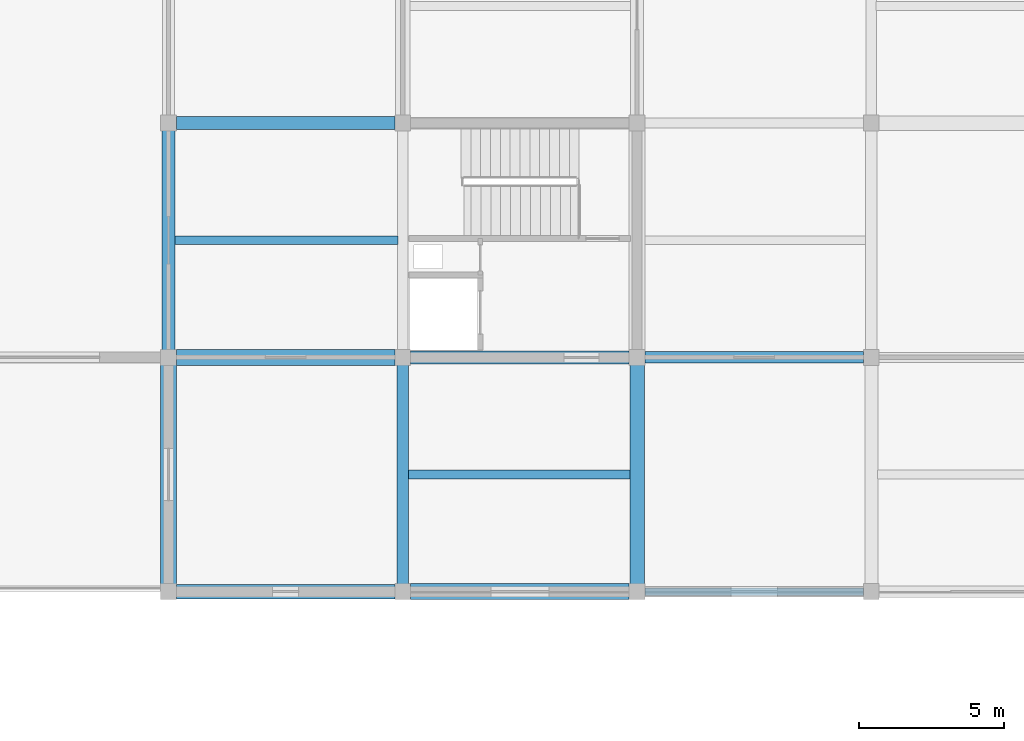
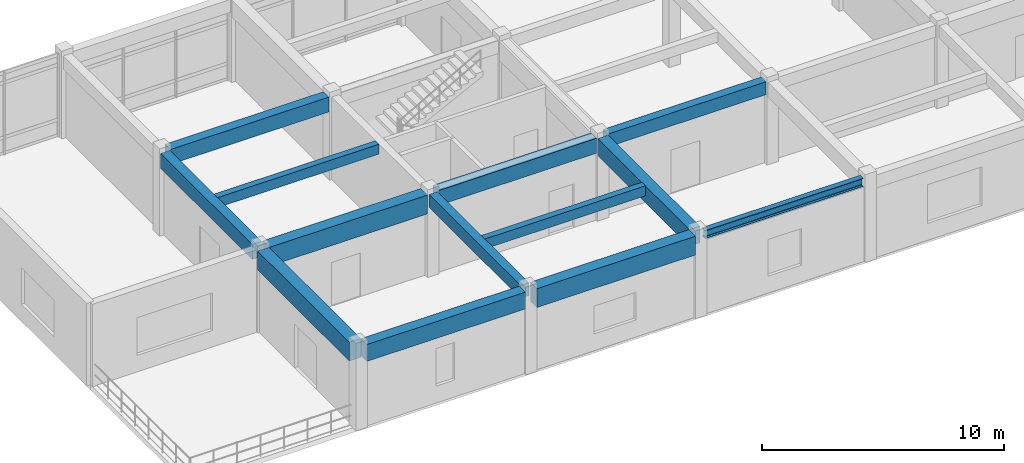
# One storey, part 8 of 42: 13 beams.
"""IFC4 building model written with IfcOpenShell, lengths in metres."""

from ifc_helpers import new_model, si_unit, direction, frame, origin, origin_2d, place, context, subcontext, project, spatial, rectangle, i_section, extrude, material, material_profile, profile_set, type_object, element, save


model = new_model("IFC4")

# Units and contexts
model_context = context("Model", 3, precision=1e-05, world=origin(), true_north=direction((0.0, 1.0)))
body_context = subcontext(model_context, "Body", "Model", "MODEL_VIEW")
ifc_project = project(units=[si_unit("LENGTHUNIT", "METRE"), si_unit("AREAUNIT", "SQUARE_METRE"), si_unit("VOLUMEUNIT", "CUBIC_METRE"), si_unit("PLANEANGLEUNIT", "RADIAN"), si_unit("MASSUNIT", "GRAM", prefix="KILO")], contexts=[model_context])

# Site, building, storey
site_placement = place(None, origin())
site = spatial("IfcSite", under=ifc_project, at=site_placement, CompositionType="ELEMENT")
building_placement = place(site_placement, origin())
building = spatial("IfcBuilding", under=site, at=building_placement, Name="Vaudrelin Polytechnic", CompositionType="ELEMENT")
storey_placement = place(building_placement, frame((0.0, 0.0, 18.530029296875)))
storey = spatial("IfcBuildingStorey", under=building, at=storey_placement, Name="L04", CompositionType="ELEMENT", Elevation=18.530029296875)

# Beams
ifc_material_1 = material(Name="Concrete 40 MPa", Category="concrete")
ifc_material_profile_1 = material_profile(ifc_material_1, rectangle(XDim=0.39990234375, YDim=0.64990234375, at=origin_2d()), Name="RC400x650")
ifc_profile_set_1 = profile_set([ifc_material_profile_1], Name="Concrete 40 MPa")
beam_type_1 = type_object("IfcBeamType", Name="BM-BM-RC4065", PredefinedType="BEAM", material=ifc_profile_set_1)
beam_1_placement = place(storey_placement, frame((16.199951171875, 97.4599609375, 3.8349609375), z_axis=(0.0, 1.0, 0.0), x_axis=(-1.0, 0.0, 0.0)))
element("IfcBeam", 1, at=beam_1_placement, inside=storey, type_object=beam_type_1, Name="L04 Y-beam 3-13", PredefinedType="BEAM", context=body_context, shape_type="SweptSolid", body=[
    extrude(rectangle(XDim=0.39990234375, YDim=0.64990234375, at=origin_2d()), origin(), (0.0, 0.0, 1.0), 7.580078125),
])
beam_2_placement = place(storey_placement, frame((24.571044921875, 105.300048828125, 3.8349609375), z_axis=(1.0, 0.0, 0.0), x_axis=(0.0, 1.0, 0.0)))
element("IfcBeam", 2, at=beam_2_placement, inside=storey, type_object=beam_type_1, Name="L04 X-beam 4-14", PredefinedType="BEAM", context=body_context, shape_type="SweptSolid", body=[
    extrude(rectangle(XDim=0.39990234375, YDim=0.64990234375, at=origin_2d()), origin(), (0.0, 0.0, 1.0), 7.557861328125),
])
ifc_material_profile_2 = material_profile(ifc_material_1, rectangle(XDim=0.449951171875, YDim=0.75, at=origin_2d()), Name="RC450x750")
ifc_profile_set_2 = profile_set([ifc_material_profile_2], Name="Concrete 40 MPa")
beam_type_2 = type_object("IfcBeamType", Name="BM-BM-RC4575", PredefinedType="BEAM", material=ifc_profile_set_2)
beam_3_placement = place(storey_placement, frame((8.10009765625, 105.56005859375, 3.784912109375), z_axis=(0.0, 1.0, 0.0), x_axis=(-1.0, 0.0, 0.0)))
element("IfcBeam", 3, at=beam_3_placement, inside=storey, type_object=beam_type_2, Name="L04 Y-beam 2-14", PredefinedType="BEAM", context=body_context, shape_type="SweptSolid", body=[
    extrude(rectangle(XDim=0.449951171875, YDim=0.75, at=origin_2d()), origin(), (0.0, 0.0, 1.0), 7.579833984375),
])
beam_4_placement = place(storey_placement, frame((8.37109375, 113.39990234375, 3.784912109375), z_axis=(1.0, 0.0, 0.0), x_axis=(0.0, 1.0, 0.0)))
element("IfcBeam", 4, at=beam_4_placement, inside=storey, type_object=beam_type_2, Name="L04 X-beam 2-15", PredefinedType="BEAM", context=body_context, shape_type="SweptSolid", body=[
    extrude(rectangle(XDim=0.449951171875, YDim=0.75, at=origin_2d()), origin(), (0.0, 0.0, 1.0), 7.557861328125),
])
beam_5_placement = place(storey_placement, frame((16.470947265625, 105.300048828125, 3.784912109375), z_axis=(1.0, 0.0, 0.0), x_axis=(0.0, 1.0, 0.0)))
element("IfcBeam", 5, at=beam_5_placement, inside=storey, type_object=beam_type_2, Name="L04 X-beam 3-14", PredefinedType="BEAM", context=body_context, shape_type="SweptSolid", body=[
    extrude(rectangle(XDim=0.449951171875, YDim=0.75, at=origin_2d()), origin(), (0.0, 0.0, 1.0), 7.55810546875),
])
ifc_material_profile_3 = material_profile(ifc_material_1, rectangle(XDim=0.5, YDim=0.85009765625, at=origin_2d()), Name="RC500x850")
ifc_profile_set_3 = profile_set([ifc_material_profile_3], Name="Concrete 40 MPa")
beam_type_3 = type_object("IfcBeamType", Name="BM-BM-RC5085", PredefinedType="BEAM", material=ifc_profile_set_3)
beam_6_placement = place(storey_placement, frame((24.300048828125, 97.4599609375, 3.73486328125), z_axis=(0.0, 1.0, 0.0), x_axis=(-1.0, 0.0, 0.0)))
element("IfcBeam", 6, at=beam_6_placement, inside=storey, type_object=beam_type_3, Name="L04 Y-beam 4-13", PredefinedType="BEAM", context=body_context, shape_type="SweptSolid", body=[
    extrude(rectangle(XDim=0.5, YDim=0.85009765625, at=origin_2d()), origin(), (0.0, 0.0, 1.0), 7.580078125),
])
beam_7_placement = place(storey_placement, frame((8.37109375, 97.199951171875, 3.73486328125), z_axis=(1.0, 0.0, 0.0), x_axis=(0.0, 1.0, 0.0)))
element("IfcBeam", 7, at=beam_7_placement, inside=storey, type_object=beam_type_3, Name="L04 X-beam 2-13", PredefinedType="BEAM", context=body_context, shape_type="SweptSolid", body=[
    extrude(rectangle(XDim=0.5, YDim=0.85009765625, at=origin_2d()), origin(), (0.0, 0.0, 1.0), 7.557861328125),
])
ifc_material_2 = material(Name="Concrete 50 MPa", Category="concrete")
ifc_material_profile_4 = material_profile(ifc_material_2, rectangle(XDim=0.550048828125, YDim=0.949951171875, at=origin_2d()), Name="RC550x950")
ifc_profile_set_4 = profile_set([ifc_material_profile_4], Name="Concrete 50 MPa")
beam_type_4 = type_object("IfcBeamType", Name="BM-BM-RC5595", PredefinedType="BEAM", material=ifc_profile_set_4)
beam_8_placement = place(storey_placement, frame((8.10009765625, 97.4599609375, 3.68505859375), z_axis=(0.0, 1.0, 0.0), x_axis=(-1.0, 0.0, 0.0)))
element("IfcBeam", 8, at=beam_8_placement, inside=storey, type_object=beam_type_4, Name="L04 Y-beam 2-13", PredefinedType="BEAM", context=body_context, shape_type="SweptSolid", body=[
    extrude(rectangle(XDim=0.550048828125, YDim=0.949951171875, at=origin_2d()), origin(), (0.0, 0.0, 1.0), 7.580078125),
])
beam_9_placement = place(storey_placement, frame((8.37109375, 105.300048828125, 3.68505859375), z_axis=(1.0, 0.0, 0.0), x_axis=(0.0, 1.0, 0.0)))
element("IfcBeam", 9, at=beam_9_placement, inside=storey, type_object=beam_type_4, Name="L04 X-beam 2-14", PredefinedType="BEAM", context=body_context, shape_type="SweptSolid", body=[
    extrude(rectangle(XDim=0.550048828125, YDim=0.949951171875, at=origin_2d()), origin(), (0.0, 0.0, 1.0), 7.557861328125),
])
beam_10_placement = place(storey_placement, frame((16.470947265625, 97.199951171875, 3.68505859375), z_axis=(1.0, 0.0, 0.0), x_axis=(0.0, 1.0, 0.0)))
element("IfcBeam", 10, at=beam_10_placement, inside=storey, type_object=beam_type_4, Name="L04 X-beam 3-13", PredefinedType="BEAM", context=body_context, shape_type="SweptSolid", body=[
    extrude(rectangle(XDim=0.550048828125, YDim=0.949951171875, at=origin_2d()), origin(), (0.0, 0.0, 1.0), 7.55810546875),
])
ifc_material_3 = material(Name="Steel CSA G40.21 350WT", Category="steel")
ifc_material_profile_5 = material_profile(ifc_material_3, i_section(OverallWidth=0.260009765625, OverallDepth=0.4150390625, WebThickness=0.010009765625, FlangeThickness=0.016845703125, FilletRadius=0.01611328125, at=origin_2d()), Name="W410x100")
ifc_profile_set_5 = profile_set([ifc_material_profile_5], Name="Steel CSA G40.21 350WT")
beam_type_5 = type_object("IfcBeamType", Name="BM-BM-W410H", PredefinedType="SPANDREL", material=ifc_profile_set_5)
beam_11_placement = place(storey_placement, frame((24.571044921875, 97.199951171875, 3.952392578125), z_axis=(1.0, 0.0, 0.0), x_axis=(0.0, 1.0, 0.0)))
element("IfcBeam", 11, at=beam_11_placement, inside=storey, type_object=beam_type_5, Name="L04 X-beam 4-13", PredefinedType="SPANDREL", context=body_context, shape_type="SweptSolid", body=[
    extrude(i_section(OverallWidth=0.260009765625, OverallDepth=0.4150390625, WebThickness=0.010009765625, FlangeThickness=0.016845703125, FilletRadius=0.01611328125, at=origin_2d()), origin(), (0.0, 0.0, 1.0), 7.557861328125),
])
ifc_material_profile_6 = material_profile(ifc_material_1, rectangle(XDim=0.300048828125, YDim=0.5, at=origin_2d()), Name="RC300x500")
ifc_profile_set_6 = profile_set([ifc_material_profile_6], Name="Concrete 40 MPa")
beam_type_6 = type_object("IfcBeamType", Name="BM-JS-RC3050", PredefinedType="JOIST", material=ifc_profile_set_6)
beam_12_placement = place(storey_placement, frame((8.321044921875, 109.35009765625, 3.909912109375), z_axis=(1.0, 0.0, 0.0), x_axis=(0.0, 1.0, 0.0)))
element("IfcBeam", 12, at=beam_12_placement, inside=storey, type_object=beam_type_6, Name="L04 floor joist 2-14", PredefinedType="JOIST", context=body_context, shape_type="SweptSolid", body=[
    extrude(rectangle(XDim=0.300048828125, YDim=0.5, at=origin_2d()), origin(), (0.0, 0.0, 1.0), 7.7080078125),
])
beam_13_placement = place(storey_placement, frame((16.39599609375, 101.25, 3.909912109375), z_axis=(1.0, 0.0, 0.0), x_axis=(0.0, 1.0, 0.0)))
element("IfcBeam", 13, at=beam_13_placement, inside=storey, type_object=beam_type_6, Name="L04 floor joist 3-13", PredefinedType="JOIST", context=body_context, shape_type="SweptSolid", body=[
    extrude(rectangle(XDim=0.300048828125, YDim=0.5, at=origin_2d()), origin(), (0.0, 0.0, 1.0), 7.657958984375),
])

save(model, "model.ifc")
